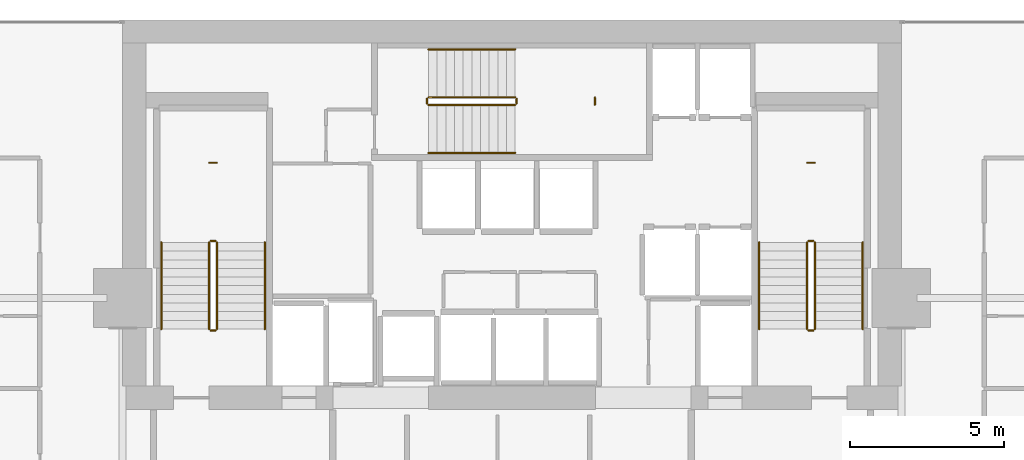
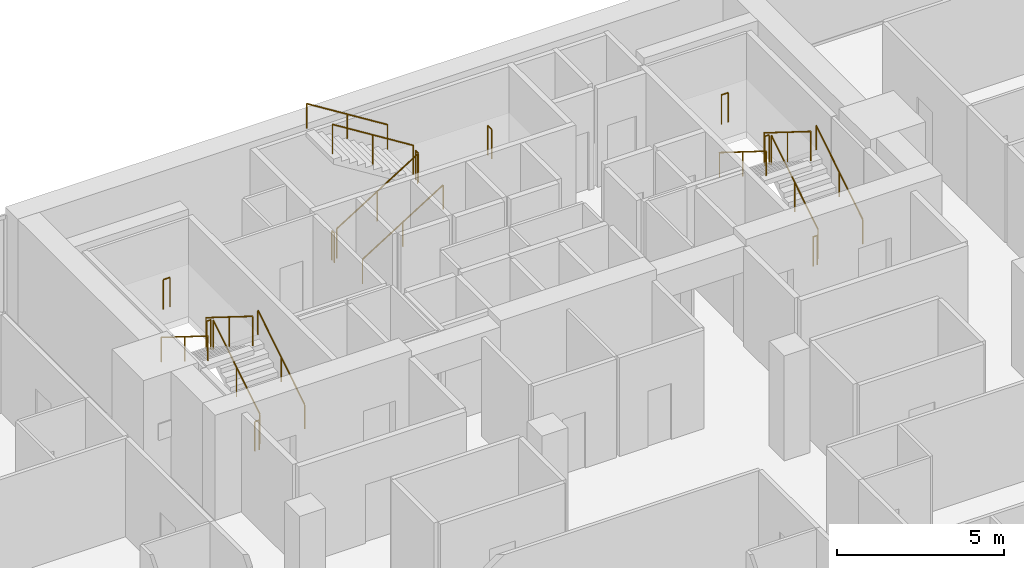
# One storey, part 33 of 33: 21 railings.
"""IFC4 building model written with IfcOpenShell, lengths in metres."""

from ifc_helpers import new_model, si_unit, direction, frame, origin, origin_2d, place, context, subcontext, project, spatial, circle, extrude, material, type_object, element, save


model = new_model("IFC4")

# Units and contexts
model_context = context("Model", 3, precision=1e-05, world=origin(), true_north=direction((0.0, 1.0)))
body_context = subcontext(model_context, "Body", "Model", "MODEL_VIEW")
ifc_project = project(units=[si_unit("LENGTHUNIT", "METRE"), si_unit("AREAUNIT", "SQUARE_METRE"), si_unit("VOLUMEUNIT", "CUBIC_METRE"), si_unit("PLANEANGLEUNIT", "RADIAN"), si_unit("MASSUNIT", "GRAM", prefix="KILO")], contexts=[model_context])

# Site, building, storey
site_placement = place(None, origin())
site = spatial("IfcSite", under=ifc_project, at=site_placement, CompositionType="ELEMENT")
building_placement = place(site_placement, origin())
building = spatial("IfcBuilding", under=site, at=building_placement, Name="Maruvema Waterfront Hotel and Observation Tower", CompositionType="ELEMENT")
storey_placement = place(building_placement, frame((0.0, 0.0, 158.199951171875)))
storey = spatial("IfcBuildingStorey", under=building, at=storey_placement, Name="L38", CompositionType="ELEMENT", Elevation=158.199951171875)

# Railings
ifc_material_1 = material(Name="Brushed stainless steel Grade 316", Category="steel")
railing_type_1 = type_object("IfcRailingType", Name="Ramp Continuous Wall Handrail 920 mm", PredefinedType="HANDRAIL", material=ifc_material_1)
railing_1_placement = place(storey_placement, frame((29.800048828125, 44.0, 0.175048828125)))
element("IfcRailing", 1, at=railing_1_placement, inside=storey, type_object=railing_type_1, Name="L38 ST-01 stair handrail 1", PredefinedType="HANDRAIL", context=body_context, shape_type="SweptSolid", body=[
    extrude(circle(Radius=0.02392578125, at=origin_2d()), frame((0.0, 0.0, 0.89599609375), z_axis=(0.0, 0.848002457836, 0.529992293815), x_axis=(-1.0, 0.0, 0.0)), (0.0, 0.0, 1.0), 3.302001953125),
    extrude(circle(Radius=0.02099609375, at=origin_2d()), origin(), (0.0, 0.0, 1.0), 0.871826171875),
    extrude(circle(Radius=0.02099609375, at=origin_2d()), frame((0.0, 1.39990234375, 0.875)), (0.0, 0.0, 1.0), 0.871826171875),
    extrude(circle(Radius=0.02099609375, at=origin_2d()), frame((0.0, 2.800048828125, 1.75)), (0.0, 0.0, 1.0), 0.871826171875),
])
railing_2_placement = place(storey_placement, frame((26.449951171875, 46.800048828125, 2.10009765625)))
element("IfcRailing", 2, at=railing_2_placement, inside=storey, type_object=railing_type_1, Name="L38 ST-01 stair handrail 2", PredefinedType="HANDRAIL", context=body_context, shape_type="SweptSolid", body=[
    extrude(circle(Radius=0.02392578125, at=origin_2d()), frame((0.0, 0.0, 0.89599609375), z_axis=(0.0, -0.848002457836, 0.529992293815), x_axis=(1.0, 0.0, 0.0)), (0.0, 0.0, 1.0), 3.302001953125),
    extrude(circle(Radius=0.02099609375, at=origin_2d()), origin(), (0.0, 0.0, 1.0), 0.871826171875),
    extrude(circle(Radius=0.02099609375, at=origin_2d()), frame((0.0, -1.39990234375, 0.875)), (0.0, 0.0, 1.0), 0.871826171875),
    extrude(circle(Radius=0.02099609375, at=origin_2d()), frame((0.0, -2.800048828125, 1.75)), (0.0, 0.0, 1.0), 0.871826171875),
])
railing_3_placement = place(storey_placement, frame((35.10009765625, 49.699951171875, 0.175048828125)))
element("IfcRailing", 3, at=railing_3_placement, inside=storey, type_object=railing_type_1, Name="L38 ST-02 stair handrail 1", PredefinedType="HANDRAIL", context=body_context, shape_type="SweptSolid", body=[
    extrude(circle(Radius=0.02392578125, at=origin_2d()), frame((0.0, 0.0, 0.89599609375), z_axis=(0.847981687118, 0.0, 0.530025526095), x_axis=(0.0, 1.0, 0.0)), (0.0, 0.0, 1.0), 3.3017578125),
    extrude(circle(Radius=0.02099609375, at=origin_2d()), origin(), (0.0, 0.0, 1.0), 0.871826171875),
    extrude(circle(Radius=0.02099609375, at=origin_2d()), frame((1.39990234375, 0.0, 0.875)), (0.0, 0.0, 1.0), 0.871826171875),
    extrude(circle(Radius=0.02099609375, at=origin_2d()), frame((2.7998046875, 0.0, 1.75)), (0.0, 0.0, 1.0), 0.871826171875),
])
railing_4_placement = place(storey_placement, frame((37.89990234375, 53.050048828125, 2.10009765625)))
element("IfcRailing", 4, at=railing_4_placement, inside=storey, type_object=railing_type_1, Name="L38 ST-02 stair handrail 2", PredefinedType="HANDRAIL", context=body_context, shape_type="SweptSolid", body=[
    extrude(circle(Radius=0.02392578125, at=origin_2d()), frame((0.0, 0.0, 0.89599609375), z_axis=(-0.847981687118, 0.0, 0.530025526095), x_axis=(0.0, -1.0, 0.0)), (0.0, 0.0, 1.0), 3.3017578125),
    extrude(circle(Radius=0.02099609375, at=origin_2d()), origin(), (0.0, 0.0, 1.0), 0.871826171875),
    extrude(circle(Radius=0.02099609375, at=origin_2d()), frame((-1.39990234375, 0.0, 0.875)), (0.0, 0.0, 1.0), 0.871826171875),
    extrude(circle(Radius=0.02099609375, at=origin_2d()), frame((-2.7998046875, 0.0, 1.75)), (0.0, 0.0, 1.0), 0.871826171875),
])
railing_5_placement = place(storey_placement, frame((49.14990234375, 44.0, 0.175048828125)))
element("IfcRailing", 5, at=railing_5_placement, inside=storey, type_object=railing_type_1, Name="L38 ST-03 stair handrail 1", PredefinedType="HANDRAIL", context=body_context, shape_type="SweptSolid", body=[
    extrude(circle(Radius=0.02392578125, at=origin_2d()), frame((0.0, 0.0, 0.89599609375), z_axis=(0.0, 0.848002457836, 0.529992293815), x_axis=(-1.0, 0.0, 0.0)), (0.0, 0.0, 1.0), 3.302001953125),
    extrude(circle(Radius=0.02099609375, at=origin_2d()), origin(), (0.0, 0.0, 1.0), 0.871826171875),
    extrude(circle(Radius=0.02099609375, at=origin_2d()), frame((0.0, 1.39990234375, 0.875)), (0.0, 0.0, 1.0), 0.871826171875),
    extrude(circle(Radius=0.02099609375, at=origin_2d()), frame((0.0, 2.800048828125, 1.75)), (0.0, 0.0, 1.0), 0.871826171875),
])
railing_6_placement = place(storey_placement, frame((45.800048828125, 46.800048828125, 2.10009765625)))
element("IfcRailing", 6, at=railing_6_placement, inside=storey, type_object=railing_type_1, Name="L38 ST-03 stair handrail 2", PredefinedType="HANDRAIL", context=body_context, shape_type="SweptSolid", body=[
    extrude(circle(Radius=0.02392578125, at=origin_2d()), frame((0.0, 0.0, 0.89599609375), z_axis=(0.0, -0.848002457836, 0.529992293815), x_axis=(1.0, 0.0, 0.0)), (0.0, 0.0, 1.0), 3.302001953125),
    extrude(circle(Radius=0.02099609375, at=origin_2d()), origin(), (0.0, 0.0, 1.0), 0.871826171875),
    extrude(circle(Radius=0.02099609375, at=origin_2d()), frame((0.0, -1.39990234375, 0.875)), (0.0, 0.0, 1.0), 0.871826171875),
    extrude(circle(Radius=0.02099609375, at=origin_2d()), frame((0.0, -2.800048828125, 1.75)), (0.0, 0.0, 1.0), 0.871826171875),
])
ifc_material_2 = material(Name="Brushed stainless steel Grade 316", Category="steel")
railing_type_2 = type_object("IfcRailingType", Name="Ramp and Terrace Guard Balustrade 1100 mm", PredefinedType="BALUSTRADE", material=ifc_material_2)
railing_7_placement = place(storey_placement, frame((28.25, 44.0, 0.175048828125)))
element("IfcRailing", 7, at=railing_7_placement, inside=storey, type_object=railing_type_2, Name="L38 ST-01 stair guard 1", PredefinedType="BALUSTRADE", context=body_context, shape_type="SweptSolid", body=[
    extrude(circle(Radius=0.02392578125, at=origin_2d()), frame((0.0, 0.0, 1.076171875), z_axis=(0.0, 0.848002457836, 0.529992293815), x_axis=(-1.0, 0.0, 0.0)), (0.0, 0.0, 1.0), 3.302001953125),
    extrude(circle(Radius=0.02099609375, at=origin_2d()), origin(), (0.0, 0.0, 1.0), 1.052001953125),
    extrude(circle(Radius=0.02099609375, at=origin_2d()), frame((0.0, 1.39990234375, 0.875)), (0.0, 0.0, 1.0), 1.052001953125),
    extrude(circle(Radius=0.02099609375, at=origin_2d()), frame((0.0, 2.800048828125, 1.75)), (0.0, 0.0, 1.0), 1.052001953125),
])
railing_8_placement = place(storey_placement, frame((28.199951171875, 46.85009765625, 1.925048828125)))
element("IfcRailing", 8, at=railing_8_placement, inside=storey, type_object=railing_type_2, Name="L38 ST-01 stair guard 2", PredefinedType="BALUSTRADE", context=body_context, shape_type="SweptSolid", body=[
    extrude(circle(Radius=0.02392578125, at=origin_2d()), frame((0.0, 0.0, 1.076171875), z_axis=(-1.0, 0.0, 0.0), x_axis=(0.0, -1.0, 0.0)), (0.0, 0.0, 1.0), 0.14990234375),
    extrude(circle(Radius=0.02099609375, at=origin_2d()), origin(), (0.0, 0.0, 1.0), 1.052001953125),
    extrude(circle(Radius=0.02099609375, at=origin_2d()), frame((-0.14990234375, 0.0, 0.0)), (0.0, 0.0, 1.0), 1.052001953125),
])
railing_9_placement = place(storey_placement, frame((28.0, 46.800048828125, 2.10009765625)))
element("IfcRailing", 9, at=railing_9_placement, inside=storey, type_object=railing_type_2, Name="L38 ST-01 stair guard 3", PredefinedType="BALUSTRADE", context=body_context, shape_type="SweptSolid", body=[
    extrude(circle(Radius=0.02392578125, at=origin_2d()), frame((0.0, 0.0, 1.076171875), z_axis=(0.0, -0.848002457836, 0.529992293815), x_axis=(1.0, 0.0, 0.0)), (0.0, 0.0, 1.0), 3.302001953125),
    extrude(circle(Radius=0.02099609375, at=origin_2d()), origin(), (0.0, 0.0, 1.0), 1.052001953125),
    extrude(circle(Radius=0.02099609375, at=origin_2d()), frame((0.0, -1.39990234375, 0.875)), (0.0, 0.0, 1.0), 1.052001953125),
    extrude(circle(Radius=0.02099609375, at=origin_2d()), frame((0.0, -2.800048828125, 1.75)), (0.0, 0.0, 1.0), 1.052001953125),
])
railing_10_placement = place(storey_placement, frame((28.199951171875, 43.949951171875, 0.0)))
element("IfcRailing", 10, at=railing_10_placement, inside=storey, type_object=railing_type_2, Name="L38 ST-01 stair guard 4", PredefinedType="BALUSTRADE", context=body_context, shape_type="SweptSolid", body=[
    extrude(circle(Radius=0.02392578125, at=origin_2d()), frame((0.0, 0.0, 1.076171875), z_axis=(-1.0, 0.0, 0.0), x_axis=(0.0, -1.0, 0.0)), (0.0, 0.0, 1.0), 0.14990234375),
    extrude(circle(Radius=0.02099609375, at=origin_2d()), origin(), (0.0, 0.0, 1.0), 1.052001953125),
    extrude(circle(Radius=0.02099609375, at=origin_2d()), frame((-0.14990234375, 0.0, 0.0)), (0.0, 0.0, 1.0), 1.052001953125),
])
railing_11_placement = place(storey_placement, frame((28.239990234375, 49.3798828125, 1.925048828125)))
element("IfcRailing", 11, at=railing_11_placement, inside=storey, type_object=railing_type_2, Name="L38 ST-01 Half-Landing Slot Guard", PredefinedType="BALUSTRADE", context=body_context, shape_type="SweptSolid", body=[
    extrude(circle(Radius=0.02392578125, at=origin_2d()), frame((0.0, 0.0, 1.076171875), z_axis=(-1.0, 0.0, 0.0), x_axis=(0.0, -1.0, 0.0)), (0.0, 0.0, 1.0), 0.22998046875),
    extrude(circle(Radius=0.02099609375, at=origin_2d()), origin(), (0.0, 0.0, 1.0), 1.052001953125),
    extrude(circle(Radius=0.02099609375, at=origin_2d()), frame((-0.22998046875, 0.0, 0.0)), (0.0, 0.0, 1.0), 1.052001953125),
])
railing_12_placement = place(storey_placement, frame((35.10009765625, 51.25, 0.175048828125)))
element("IfcRailing", 12, at=railing_12_placement, inside=storey, type_object=railing_type_2, Name="L38 ST-02 stair guard 1", PredefinedType="BALUSTRADE", context=body_context, shape_type="SweptSolid", body=[
    extrude(circle(Radius=0.02392578125, at=origin_2d()), frame((0.0, 0.0, 1.076171875), z_axis=(0.847981687118, 0.0, 0.530025526095), x_axis=(0.0, 1.0, 0.0)), (0.0, 0.0, 1.0), 3.3017578125),
    extrude(circle(Radius=0.02099609375, at=origin_2d()), origin(), (0.0, 0.0, 1.0), 1.052001953125),
    extrude(circle(Radius=0.02099609375, at=origin_2d()), frame((1.39990234375, 0.0, 0.875)), (0.0, 0.0, 1.0), 1.052001953125),
    extrude(circle(Radius=0.02099609375, at=origin_2d()), frame((2.7998046875, 0.0, 1.75)), (0.0, 0.0, 1.0), 1.052001953125),
])
railing_13_placement = place(storey_placement, frame((37.949951171875, 51.300048828125, 1.925048828125)))
element("IfcRailing", 13, at=railing_13_placement, inside=storey, type_object=railing_type_2, Name="L38 ST-02 stair guard 2", PredefinedType="BALUSTRADE", context=body_context, shape_type="SweptSolid", body=[
    extrude(circle(Radius=0.02392578125, at=origin_2d()), frame((0.0, 0.0, 1.076171875), z_axis=(0.0, 1.0, 0.0), x_axis=(-1.0, 0.0, 0.0)), (0.0, 0.0, 1.0), 0.14990234375),
    extrude(circle(Radius=0.02099609375, at=origin_2d()), origin(), (0.0, 0.0, 1.0), 1.052001953125),
    extrude(circle(Radius=0.02099609375, at=origin_2d()), frame((0.0, 0.14990234375, 0.0)), (0.0, 0.0, 1.0), 1.052001953125),
])
railing_14_placement = place(storey_placement, frame((37.89990234375, 51.5, 2.10009765625)))
element("IfcRailing", 14, at=railing_14_placement, inside=storey, type_object=railing_type_2, Name="L38 ST-02 stair guard 3", PredefinedType="BALUSTRADE", context=body_context, shape_type="SweptSolid", body=[
    extrude(circle(Radius=0.02392578125, at=origin_2d()), frame((0.0, 0.0, 1.076171875), z_axis=(-0.847981687118, 0.0, 0.530025526095), x_axis=(0.0, -1.0, 0.0)), (0.0, 0.0, 1.0), 3.3017578125),
    extrude(circle(Radius=0.02099609375, at=origin_2d()), origin(), (0.0, 0.0, 1.0), 1.052001953125),
    extrude(circle(Radius=0.02099609375, at=origin_2d()), frame((-1.39990234375, 0.0, 0.875)), (0.0, 0.0, 1.0), 1.052001953125),
    extrude(circle(Radius=0.02099609375, at=origin_2d()), frame((-2.7998046875, 0.0, 1.75)), (0.0, 0.0, 1.0), 1.052001953125),
])
railing_15_placement = place(storey_placement, frame((35.050048828125, 51.300048828125, 0.0)))
element("IfcRailing", 15, at=railing_15_placement, inside=storey, type_object=railing_type_2, Name="L38 ST-02 stair guard 4", PredefinedType="BALUSTRADE", context=body_context, shape_type="SweptSolid", body=[
    extrude(circle(Radius=0.02392578125, at=origin_2d()), frame((0.0, 0.0, 1.076171875), z_axis=(0.0, 1.0, 0.0), x_axis=(-1.0, 0.0, 0.0)), (0.0, 0.0, 1.0), 0.14990234375),
    extrude(circle(Radius=0.02099609375, at=origin_2d()), origin(), (0.0, 0.0, 1.0), 1.052001953125),
    extrude(circle(Radius=0.02099609375, at=origin_2d()), frame((0.0, 0.14990234375, 0.0)), (0.0, 0.0, 1.0), 1.052001953125),
])
railing_16_placement = place(storey_placement, frame((40.47998046875, 51.260009765625, 1.925048828125)))
element("IfcRailing", 16, at=railing_16_placement, inside=storey, type_object=railing_type_2, Name="L38 ST-02 Half-Landing Slot Guard", PredefinedType="BALUSTRADE", context=body_context, shape_type="SweptSolid", body=[
    extrude(circle(Radius=0.02392578125, at=origin_2d()), frame((0.0, 0.0, 1.076171875), z_axis=(0.0, 1.0, 0.0), x_axis=(-1.0, 0.0, 0.0)), (0.0, 0.0, 1.0), 0.22998046875),
    extrude(circle(Radius=0.02099609375, at=origin_2d()), origin(), (0.0, 0.0, 1.0), 1.052001953125),
    extrude(circle(Radius=0.02099609375, at=origin_2d()), frame((0.0, 0.22998046875, 0.0)), (0.0, 0.0, 1.0), 1.052001953125),
])
railing_17_placement = place(storey_placement, frame((47.60009765625, 44.0, 0.175048828125)))
element("IfcRailing", 17, at=railing_17_placement, inside=storey, type_object=railing_type_2, Name="L38 ST-03 stair guard 1", PredefinedType="BALUSTRADE", context=body_context, shape_type="SweptSolid", body=[
    extrude(circle(Radius=0.02392578125, at=origin_2d()), frame((0.0, 0.0, 1.076171875), z_axis=(0.0, 0.848002457836, 0.529992293815), x_axis=(-1.0, 0.0, 0.0)), (0.0, 0.0, 1.0), 3.302001953125),
    extrude(circle(Radius=0.02099609375, at=origin_2d()), origin(), (0.0, 0.0, 1.0), 1.052001953125),
    extrude(circle(Radius=0.02099609375, at=origin_2d()), frame((0.0, 1.39990234375, 0.875)), (0.0, 0.0, 1.0), 1.052001953125),
    extrude(circle(Radius=0.02099609375, at=origin_2d()), frame((0.0, 2.800048828125, 1.75)), (0.0, 0.0, 1.0), 1.052001953125),
])
railing_18_placement = place(storey_placement, frame((47.550048828125, 46.85009765625, 1.925048828125)))
element("IfcRailing", 18, at=railing_18_placement, inside=storey, type_object=railing_type_2, Name="L38 ST-03 stair guard 2", PredefinedType="BALUSTRADE", context=body_context, shape_type="SweptSolid", body=[
    extrude(circle(Radius=0.02392578125, at=origin_2d()), frame((0.0, 0.0, 1.076171875), z_axis=(-1.0, 0.0, 0.0), x_axis=(0.0, -1.0, 0.0)), (0.0, 0.0, 1.0), 0.150146484375),
    extrude(circle(Radius=0.02099609375, at=origin_2d()), origin(), (0.0, 0.0, 1.0), 1.052001953125),
    extrude(circle(Radius=0.02099609375, at=origin_2d()), frame((-0.150146484375, 0.0, 0.0)), (0.0, 0.0, 1.0), 1.052001953125),
])
railing_19_placement = place(storey_placement, frame((47.35009765625, 46.800048828125, 2.10009765625)))
element("IfcRailing", 19, at=railing_19_placement, inside=storey, type_object=railing_type_2, Name="L38 ST-03 stair guard 3", PredefinedType="BALUSTRADE", context=body_context, shape_type="SweptSolid", body=[
    extrude(circle(Radius=0.02392578125, at=origin_2d()), frame((0.0, 0.0, 1.076171875), z_axis=(0.0, -0.848002457836, 0.529992293815), x_axis=(1.0, 0.0, 0.0)), (0.0, 0.0, 1.0), 3.302001953125),
    extrude(circle(Radius=0.02099609375, at=origin_2d()), origin(), (0.0, 0.0, 1.0), 1.052001953125),
    extrude(circle(Radius=0.02099609375, at=origin_2d()), frame((0.0, -1.39990234375, 0.875)), (0.0, 0.0, 1.0), 1.052001953125),
    extrude(circle(Radius=0.02099609375, at=origin_2d()), frame((0.0, -2.800048828125, 1.75)), (0.0, 0.0, 1.0), 1.052001953125),
])
railing_20_placement = place(storey_placement, frame((47.550048828125, 43.949951171875, 0.0)))
element("IfcRailing", 20, at=railing_20_placement, inside=storey, type_object=railing_type_2, Name="L38 ST-03 stair guard 4", PredefinedType="BALUSTRADE", context=body_context, shape_type="SweptSolid", body=[
    extrude(circle(Radius=0.02392578125, at=origin_2d()), frame((0.0, 0.0, 1.076171875), z_axis=(-1.0, 0.0, 0.0), x_axis=(0.0, -1.0, 0.0)), (0.0, 0.0, 1.0), 0.150146484375),
    extrude(circle(Radius=0.02099609375, at=origin_2d()), origin(), (0.0, 0.0, 1.0), 1.052001953125),
    extrude(circle(Radius=0.02099609375, at=origin_2d()), frame((-0.150146484375, 0.0, 0.0)), (0.0, 0.0, 1.0), 1.052001953125),
])
railing_21_placement = place(storey_placement, frame((47.590087890625, 49.3798828125, 1.925048828125)))
element("IfcRailing", 21, at=railing_21_placement, inside=storey, type_object=railing_type_2, Name="L38 ST-03 Half-Landing Slot Guard", PredefinedType="BALUSTRADE", context=body_context, shape_type="SweptSolid", body=[
    extrude(circle(Radius=0.02392578125, at=origin_2d()), frame((0.0, 0.0, 1.076171875), z_axis=(-1.0, 0.0, 0.0), x_axis=(0.0, -1.0, 0.0)), (0.0, 0.0, 1.0), 0.22998046875),
    extrude(circle(Radius=0.02099609375, at=origin_2d()), origin(), (0.0, 0.0, 1.0), 1.052001953125),
    extrude(circle(Radius=0.02099609375, at=origin_2d()), frame((-0.22998046875, 0.0, 0.0)), (0.0, 0.0, 1.0), 1.052001953125),
])

save(model, "model.ifc")
